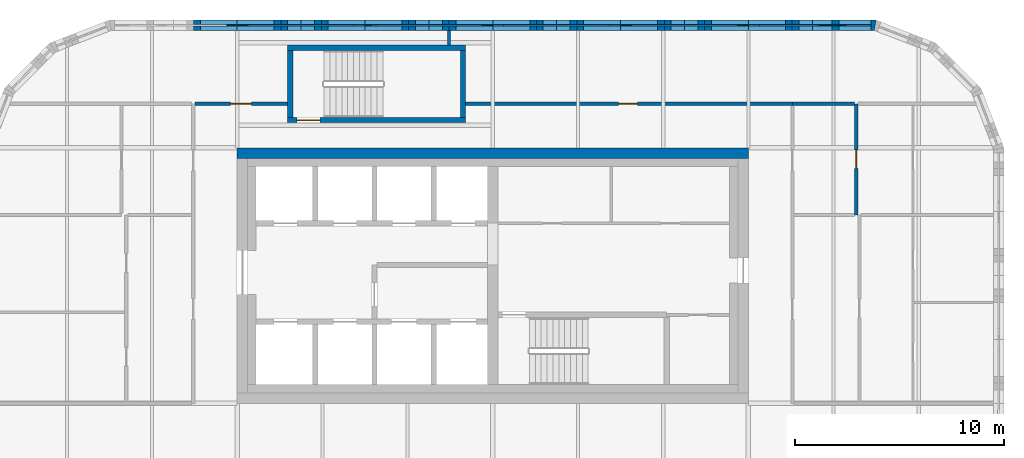
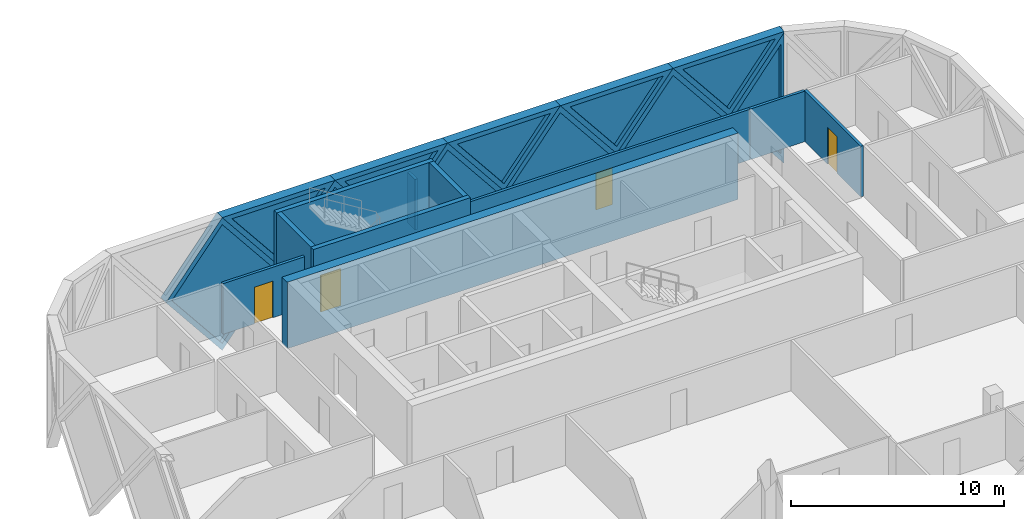
# One storey, part 16 of 21: 21 walls, 11 plates, 4 doors, 15 openings.
"""IFC4 building model written with IfcOpenShell, lengths in metres."""

import ifcopenshell
import ifcopenshell.guid

model = None  # the IFC model being written
_history = None  # IfcOwnerHistory: only IFC2X3 demands one
_inside = {}  # id of a spatial element -> (the spatial element, [elements in it])
_under = {}  # id of a project, library or spatial element -> (it, [spatial elements below it])
_declared = {}  # id of a project -> (the project, [libraries it declares])
_typed = {}  # id of a type object -> (the type object, [elements of that type])
_made_of = {}  # id of a material, layer set ... -> (it, [elements and type objects made of it])


def new_model(schema):
    """Start an empty IFC model of exactly this schema.

    Asked for "IFC4X3", IfcOpenShell would pick the latest addendum, in which some entities
    have other attributes; the version numbers below select the first issue.
    IFC2X3 requires an IfcOwnerHistory on every rooted entity: one is made here for all.
    """
    global model, _history
    if schema == "IFC4X3":
        model = ifcopenshell.file(schema_version=(4, 3, 0, 0))
    else:
        model = ifcopenshell.file(schema=schema)
    _inside.clear()
    _under.clear()
    _declared.clear()
    _typed.clear()
    _made_of.clear()
    _history = None
    if model.schema == "IFC2X3":
        org = make("IfcOrganization", Name="unknown")
        user = make(
            "IfcPersonAndOrganization",
            ThePerson=make("IfcPerson", FamilyName="unknown"),
            TheOrganization=org,
        )
        app = make(
            "IfcApplication",
            ApplicationDeveloper=org,
            Version="unknown",
            ApplicationFullName="unknown",
            ApplicationIdentifier="unknown",
        )
        _history = make(
            "IfcOwnerHistory",
            OwningUser=user,
            OwningApplication=app,
            ChangeAction="ADDED",
            CreationDate=0,
        )
    return model


def make(cls, **values):
    """One entity of the class cls with the attributes given. An attribute that is None is left unset."""
    return model.create_entity(
        cls, **{name: value for name, value in values.items() if value is not None}
    )


def rooted(cls, **values):
    """An entity with a GlobalId (a new one), such as an element, a storey or a relation."""
    return make(cls, GlobalId=ifcopenshell.guid.new(), OwnerHistory=_history, **values)


def si_unit(unit_type, name, prefix=None):
    """IfcSIUnit, for example si_unit("LENGTHUNIT", "METRE", prefix="MILLI")."""
    return make("IfcSIUnit", UnitType=unit_type, Prefix=prefix, Name=name)


def assignment(units):
    """IfcUnitAssignment: the units of a project."""
    return None if units is None else make("IfcUnitAssignment", Units=units)


def point(xyz):
    """IfcCartesianPoint."""
    return None if xyz is None else make("IfcCartesianPoint", Coordinates=xyz)


def direction(xyz):
    """IfcDirection."""
    return None if xyz is None else make("IfcDirection", DirectionRatios=xyz)


def frame(location, z_axis=None, x_axis=None):
    """IfcAxis2Placement3D, a coordinate frame: its origin and axes. An axis left out is left unset."""
    return make(
        "IfcAxis2Placement3D",
        Location=point(location),
        Axis=direction(z_axis),
        RefDirection=direction(x_axis),
    )


def frame_2d(location, x_axis=None):
    """IfcAxis2Placement2D, a coordinate frame in the plane: its origin and x axis."""
    return make(
        "IfcAxis2Placement2D", Location=point(location), RefDirection=direction(x_axis)
    )


def origin():
    """The frame at (0, 0, 0) with its axes left unset."""
    return frame((0.0, 0.0, 0.0))


def place(relative_to, where):
    """IfcLocalPlacement: puts the frame where relative to a parent placement (None: the world)."""
    return make(
        "IfcLocalPlacement", PlacementRelTo=relative_to, RelativePlacement=where
    )


def context(
    kind, dimensions, precision=None, world=None, true_north=None, identifier=None
):
    """IfcGeometricRepresentationContext, for example the 3D "Model" context."""
    return make(
        "IfcGeometricRepresentationContext",
        ContextIdentifier=identifier,
        ContextType=kind,
        CoordinateSpaceDimension=dimensions,
        Precision=precision,
        WorldCoordinateSystem=world,
        TrueNorth=true_north,
    )


def subcontext(parent, identifier, kind, view, scale=None):
    """IfcGeometricRepresentationSubContext, for example "Body" below "Model"."""
    return make(
        "IfcGeometricRepresentationSubContext",
        ContextIdentifier=identifier,
        ContextType=kind,
        ParentContext=parent,
        TargetScale=scale,
        TargetView=view,
    )


def project(units=None, contexts=None):
    """IfcProject with its units and contexts."""
    return rooted(
        "IfcProject",
        Name="project",
        RepresentationContexts=contexts,
        UnitsInContext=assignment(units),
    )


def spatial(cls, under=None, at=None, **own):
    """A site, building, storey or space (cls), placed at a placement, below another one or the project."""
    s = rooted(cls, ObjectPlacement=at, **own)
    if under is not None:
        _under.setdefault(under.id(), (under, []))[1].append(s)
    return s


def polyline(points):
    """IfcPolyline through the points."""
    return make("IfcPolyline", Points=[point(p) for p in points])


def profile(cls, at=None, kind="AREA", **sizes):
    """A parametric profile (cls). Its sizes go by their IFC names, for example OverallWidth=200.0."""
    return make(cls, ProfileType=kind, Position=at, **sizes)


def rectangle(**sizes):
    """IfcRectangleProfileDef."""
    return profile("IfcRectangleProfileDef", **sizes)


def outline(outer, holes=None, kind="AREA"):
    """IfcArbitraryClosedProfileDef: a profile drawn as a closed curve; with holes, ...WithVoids."""
    if holes is None:
        return make("IfcArbitraryClosedProfileDef", ProfileType=kind, OuterCurve=outer)
    return make(
        "IfcArbitraryProfileDefWithVoids",
        ProfileType=kind,
        OuterCurve=outer,
        InnerCurves=holes,
    )


def extrude(swept, where, along, depth):
    """IfcExtrudedAreaSolid: the profile swept, set in the frame where, extruded along a direction by depth."""
    return make(
        "IfcExtrudedAreaSolid",
        SweptArea=swept,
        Position=where,
        ExtrudedDirection=direction(along),
        Depth=depth,
    )


def faces_of(points, faces, orient=None, outer=None):
    """IfcFace entities. A face is a list of loops; a loop is a list of indices into points, from 0.

    orient and outer hold one flag for each loop. By default every Orientation is true, the
    first loop of a face is its IfcFaceOuterBound and the others are IfcFaceBound.
    """
    made = []
    for i, loops in enumerate(faces):
        bounds = []
        for j, loop in enumerate(loops):
            is_outer = j == 0 if outer is None else outer[i][j]
            bounds.append(
                make(
                    "IfcFaceOuterBound" if is_outer else "IfcFaceBound",
                    Bound=make("IfcPolyLoop", Polygon=[points[k] for k in loop]),
                    Orientation=True if orient is None else orient[i][j],
                )
            )
        made.append(make("IfcFace", Bounds=bounds))
    return made


def faceted_brep(points, faces, orient=None, outer=None, voids=None):
    """IfcFacetedBrep: a solid bounded by flat faces; with voids (closed shells), ...WithVoids."""
    shared = [point(p) for p in points]
    hull = make("IfcClosedShell", CfsFaces=faces_of(shared, faces, orient, outer))
    if voids is None:
        return make("IfcFacetedBrep", Outer=hull)
    return make(
        "IfcFacetedBrepWithVoids",
        Outer=hull,
        Voids=[
            make(cls, CfsFaces=faces_of(shared, fs, o, b)) for cls, fs, o, b in voids
        ],
    )


def shape(context_of_items, identifier, shape_type, items):
    """IfcShapeRepresentation: the items that make up one representation, for example the "Body"."""
    return make(
        "IfcShapeRepresentation",
        ContextOfItems=context_of_items,
        RepresentationIdentifier=identifier,
        RepresentationType=shape_type,
        Items=items,
    )


def source(mapping_origin, context_of_items, identifier, shape_type, items):
    """IfcRepresentationMap: a shape defined once, which mapped items show again and again."""
    return make(
        "IfcRepresentationMap",
        MappingOrigin=mapping_origin,
        MappedRepresentation=shape(context_of_items, identifier, shape_type, items),
    )


def transform(
    local_origin,
    x_axis=None,
    y_axis=None,
    z_axis=None,
    scale=None,
    scale2=None,
    scale3=None,
    uniform=True,
):
    """IfcCartesianTransformationOperator3D, or its non-uniform kind. x_axis, y_axis, z_axis: its Axis1, 2, 3."""
    if uniform:
        return make(
            "IfcCartesianTransformationOperator3D",
            Axis1=direction(x_axis),
            Axis2=direction(y_axis),
            LocalOrigin=point(local_origin),
            Scale=scale,
            Axis3=direction(z_axis),
        )
    return make(
        "IfcCartesianTransformationOperator3DnonUniform",
        Axis1=direction(x_axis),
        Axis2=direction(y_axis),
        LocalOrigin=point(local_origin),
        Scale=scale,
        Axis3=direction(z_axis),
        Scale2=scale2,
        Scale3=scale3,
    )


def mapped(mapping_source, mapping_target):
    """IfcMappedItem: shows the shape of a source again, moved by a transform."""
    return make(
        "IfcMappedItem", MappingSource=mapping_source, MappingTarget=mapping_target
    )


def material(Name=None, Category=None):
    """IfcMaterial."""
    return make("IfcMaterial", Name=Name, Category=Category)


def layer(
    of_material, thickness, ventilated=None, Name=None, Category=None, Priority=None
):
    """IfcMaterialLayer: one layer of a wall or slab, of a material (None: an air gap)."""
    return make(
        "IfcMaterialLayer",
        Material=of_material,
        LayerThickness=thickness,
        IsVentilated=ventilated,
        Name=Name,
        Category=Category,
        Priority=Priority,
    )


def layer_set(layers, Name=None):
    """IfcMaterialLayerSet."""
    return make("IfcMaterialLayerSet", MaterialLayers=layers, LayerSetName=Name)


def made_of(thing, what):
    """Note that an element or type object is made of a material, layer set ...; save() writes the relation."""
    if what is not None:
        _made_of.setdefault(what.id(), (what, []))[1].append(thing)
    return thing


def type_object(cls, material=None, **own):
    """A type object (cls), such as IfcWallType, which elements share."""
    return made_of(rooted(cls, **own), material)


def element(
    cls,
    number,
    at=None,
    inside=None,
    cuts=None,
    type_object=None,
    material=None,
    context=None,
    identifier="Body",
    shape_type=None,
    held_by="IfcProductDefinitionShape",
    body=None,
    shapes=None,
    **own,
):
    """One element of the class cls, such as IfcWall. Its Tag is "e" and its number.

    at: its placement. inside: the storey or other place that contains it. cuts: it is an
    opening in that element (IfcRelVoidsElement). A single representation is given by context,
    identifier, shape_type and body (its items); several are given by shapes. held_by: the class
    of the entity that holds the representations. save() writes the other relations.
    """
    e = rooted(cls, Tag="e%d" % number, ObjectPlacement=at, **own)
    if body is not None:
        shapes = [shape(context, identifier, shape_type, body)]
    if shapes is not None:
        e.Representation = make(held_by, Representations=shapes)
    if inside is not None:
        _inside.setdefault(inside.id(), (inside, []))[1].append(e)
    if cuts is not None:
        rooted(
            "IfcRelVoidsElement", RelatingBuildingElement=cuts, RelatedOpeningElement=e
        )
    if type_object is not None:
        _typed.setdefault(type_object.id(), (type_object, []))[1].append(e)
    return made_of(e, material)


def fill(opening, filler):
    """IfcRelFillsElement: the door or window that sits in an opening."""
    return rooted(
        "IfcRelFillsElement",
        RelatingOpeningElement=opening,
        RelatedBuildingElement=filler,
    )


def aggregate(whole, parts):
    """IfcRelAggregates: a whole, such as a stair, and the parts it consists of."""
    return rooted("IfcRelAggregates", RelatingObject=whole, RelatedObjects=parts)


def save(model, path):
    """Write the relations noted so far, then the file.

    IfcRelAggregates (storeys below a building ...), IfcRelContainedInSpatialStructure (elements
    in a storey), IfcRelDefinesByType, IfcRelAssociatesMaterial and IfcRelDeclares: one each for
    every whole, place, type object, material and project.
    """
    for whole, parts in _under.values():
        aggregate(whole, parts)
    for where, things in _inside.values():
        rooted(
            "IfcRelContainedInSpatialStructure",
            RelatedElements=things,
            RelatingStructure=where,
        )
    for kind, things in _typed.values():
        rooted("IfcRelDefinesByType", RelatedObjects=things, RelatingType=kind)
    for what, things in _made_of.values():
        rooted("IfcRelAssociatesMaterial", RelatedObjects=things, RelatingMaterial=what)
    for by, libraries in _declared.values():
        rooted("IfcRelDeclares", RelatingContext=by, RelatedDefinitions=libraries)
    model.write(path)


model = new_model("IFC4")

# Units and contexts
model_context = context("Model", 3, precision=1e-05, world=origin(), true_north=direction((0.0, 1.0)))
body_context = subcontext(model_context, "Body", "Model", "MODEL_VIEW")
ifc_project = project(units=[si_unit("LENGTHUNIT", "METRE"), si_unit("AREAUNIT", "SQUARE_METRE"), si_unit("VOLUMEUNIT", "CUBIC_METRE"), si_unit("PLANEANGLEUNIT", "RADIAN"), si_unit("MASSUNIT", "GRAM", prefix="KILO")], contexts=[model_context])

# Site, building, storey
site_placement = place(None, origin())
site = spatial("IfcSite", under=ifc_project, at=site_placement, CompositionType="ELEMENT")
building_placement = place(site_placement, origin())
building = spatial("IfcBuilding", under=site, at=building_placement, Name="Tessera Gate Towers", CompositionType="ELEMENT")
storey_placement = place(building_placement, frame((0.0, 0.0, 91.39990234375)))
storey = spatial("IfcBuildingStorey", under=building, at=storey_placement, Name="L22", CompositionType="ELEMENT", Elevation=91.39990234375)

# Wall, opening, door
ifc_material_1 = material(Name="Concrete C40/50", Category="concrete")
ifc_layer_1 = layer(ifc_material_1, 0.25)
ifc_layer_set_1 = layer_set([ifc_layer_1], Name="CORE ENCLOSURE WALL 250")
wall_type_1 = type_object("IfcWallType", Name="CORE ENCLOSURE WALL 250", PredefinedType="SOLIDWALL", material=ifc_layer_set_1)
wall_1_placement = place(storey_placement, frame((108.5, 50.125, 0.0), z_axis=(0.0, 0.0, 1.0), x_axis=(-1.0, 0.0, 0.0)))
wall_1 = element("IfcWall", 1, at=wall_1_placement, inside=storey, type_object=wall_type_1, Name="L22 ST7 enclosure wall", PredefinedType="SOLIDWALL", context=body_context, shape_type="SweptSolid", body=[
    extrude(rectangle(XDim=8.5, YDim=0.25, at=frame_2d((4.25, 0.0))), origin(), (0.0, 0.0, 1.0), 3.800048828125),
])
shared_shape_1 = source(origin(), body_context, "Body", "SweptSolid", [
    extrude(rectangle(XDim=1.10009765625, YDim=2.10009765625, at=frame_2d((0.550048828125, 1.050048828125))), frame((0.0, 0.135009765625, 0.0), z_axis=(0.0, -1.0, 0.0), x_axis=(1.0, 0.0, 0.0)), (0.0, 0.0, 1.0), 0.27001953125),
])
opening_1_placement = place(wall_1_placement, frame((6.949951171875, 0.0, 0.0)))
opening_1 = element("IfcOpeningElement", 2, at=opening_1_placement, cuts=wall_1, Name="Opening SD-ST7-1", PredefinedType="OPENING", context=body_context, shape_type="MappedRepresentation", body=[
    mapped(shared_shape_1, transform((0.0, 0.0, 0.0), scale=1.0)),
])
ifc_material_2 = material(Name="Hollow steel fire door", Category="steel")
door_type_1 = type_object("IfcDoorType", Name="CORE DOOR SD1100 1100x2100", OperationType="NOTDEFINED", PredefinedType="DOOR", material=ifc_material_2)
shared_shape_2 = source(origin(), body_context, "Body", "SweptSolid", [
    extrude(rectangle(XDim=1.10009765625, YDim=2.10009765625, at=frame_2d((0.550048828125, 1.050048828125))), frame((0.0, 0.02490234375, 0.0), z_axis=(0.0, -1.0, 0.0), x_axis=(1.0, 0.0, 0.0)), (0.0, 0.0, 1.0), 0.050048828125),
])
door_1_placement = place(opening_1_placement, origin())
door_1 = element("IfcDoor", 3, at=door_1_placement, inside=storey, type_object=door_type_1, Name="Stair door", OperationType="SINGLE_SWING_RIGHT", OverallHeight=2.10009765625, OverallWidth=1.10009765625, PredefinedType="DOOR", context=body_context, shape_type="MappedRepresentation", body=[
    mapped(shared_shape_2, transform((0.0, 0.0, 0.0), scale=1.0)),
])
fill(opening_1, door_1)

# Walls
wall_2_placement = place(storey_placement, frame((100.125, 50.25, 0.0), z_axis=(0.0, 0.0, 1.0), x_axis=(0.0, 1.0, 0.0)))
element("IfcWall", 4, at=wall_2_placement, inside=storey, type_object=wall_type_1, Name="L22 ST7 enclosure wall", PredefinedType="SOLIDWALL", context=body_context, shape_type="SweptSolid", body=[
    extrude(rectangle(XDim=3.199951171875, YDim=0.25, at=frame_2d((1.60009765625, 0.0))), origin(), (0.0, 0.0, 1.0), 3.800048828125),
])
wall_3_placement = place(storey_placement, frame((100.0, 53.574951171875, 0.0), z_axis=(0.0, 0.0, 1.0), x_axis=(1.0, 0.0, 0.0)))
element("IfcWall", 5, at=wall_3_placement, inside=storey, type_object=wall_type_1, Name="L22 ST7 enclosure wall", PredefinedType="SOLIDWALL", context=body_context, shape_type="SweptSolid", body=[
    extrude(rectangle(XDim=8.5, YDim=0.25, at=frame_2d((4.25, 0.0))), origin(), (0.0, 0.0, 1.0), 3.800048828125),
])
wall_4_placement = place(storey_placement, frame((108.375, 53.449951171875, 0.0), z_axis=(0.0, 0.0, 1.0), x_axis=(0.0, -1.0, 0.0)))
element("IfcWall", 6, at=wall_4_placement, inside=storey, type_object=wall_type_1, Name="L22 ST7 enclosure wall", PredefinedType="SOLIDWALL", context=body_context, shape_type="SweptSolid", body=[
    extrude(rectangle(XDim=3.199951171875, YDim=0.25, at=frame_2d((1.60009765625, 0.0))), origin(), (0.0, 0.0, 1.0), 3.800048828125),
])
ifc_material_3 = material(Name="Concrete C50/60", Category="concrete")
ifc_layer_2 = layer(ifc_material_3, 0.5)
ifc_layer_set_2 = layer_set([ifc_layer_2], Name="CORE SHEAR WALL 500 C50/60")
wall_type_2 = type_object("IfcWallType", Name="CORE SHEAR WALL 500 C50/60", PredefinedType="SHEAR", material=ifc_layer_set_2)
wall_5_placement = place(storey_placement, frame((97.60009765625, 48.550048828125, 0.0), z_axis=(0.0, 0.0, 1.0), x_axis=(1.0, 0.0, 0.0)))
element("IfcWall", 7, at=wall_5_placement, inside=storey, type_object=wall_type_2, Name="Core wall N L22", PredefinedType="SHEAR", context=body_context, shape_type="SweptSolid", body=[
    extrude(rectangle(XDim=24.39990234375, YDim=0.5, at=frame_2d((12.199951171875, 0.0))), origin(), (0.0, 0.0, 1.0), 3.800048828125),
])

# Wall, opening, door
ifc_material_4 = material(Name="Gypsum board on steel studs, mineral wool", Category="steel")
ifc_layer_3 = layer(ifc_material_4, 0.14990234375)
ifc_layer_set_3 = layer_set([ifc_layer_3], Name="CORRIDOR WALL 150")
wall_type_3 = type_object("IfcWallType", Name="CORRIDOR WALL 150", PredefinedType="PARTITIONING", material=ifc_layer_set_3)
wall_6_placement = place(storey_placement, frame((95.575927734375, 50.89990234375, 0.0), z_axis=(0.0, 0.0, 1.0), x_axis=(1.0, 0.0, 0.0)))
wall_6 = element("IfcWall", 8, at=wall_6_placement, inside=storey, type_object=wall_type_3, Name="T2-L22-PW-039", PredefinedType="PARTITIONING", context=body_context, shape_type="SweptSolid", body=[
    extrude(rectangle(XDim=4.424072265625, YDim=0.14990234375, at=frame_2d((2.2119140625, 0.0))), origin(), (0.0, 0.0, 1.0), 2.89501953125),
])
shared_shape_3 = source(origin(), body_context, "Body", "SweptSolid", [
    extrude(rectangle(XDim=1.0, YDim=2.10009765625, at=frame_2d((0.5, 1.050048828125))), frame((0.0, 0.0849609375, 0.0), z_axis=(0.0, -1.0, 0.0), x_axis=(1.0, 0.0, 0.0)), (0.0, 0.0, 1.0), 0.169921875),
])
opening_2_placement = place(wall_6_placement, frame((1.699951171875, 0.0, 0.0)))
opening_2 = element("IfcOpeningElement", 9, at=opening_2_placement, cuts=wall_6, Name="Opening D2100FD60-B09-01", PredefinedType="OPENING", context=body_context, shape_type="MappedRepresentation", body=[
    mapped(shared_shape_3, transform((0.0, 0.0, 0.0), scale=1.0)),
])
ifc_material_5 = material(Name="Timber door leaf in steel frame", Category="steel")
door_type_2 = type_object("IfcDoorType", Name="TENANCY ENTRANCE DOOR 1000 FD60", OperationType="NOTDEFINED", PredefinedType="DOOR", material=ifc_material_5)
shared_shape_4 = source(origin(), body_context, "Body", "SweptSolid", [
    extrude(rectangle(XDim=1.0, YDim=2.10009765625, at=frame_2d((0.5, 1.050048828125))), frame((0.0, 0.02490234375, 0.0), z_axis=(0.0, -1.0, 0.0), x_axis=(1.0, 0.0, 0.0)), (0.0, 0.0, 1.0), 0.050048828125),
])
door_2_placement = place(opening_2_placement, origin())
door_2 = element("IfcDoor", 10, at=door_2_placement, inside=storey, type_object=door_type_2, Name="T2-L22-PD-003", OperationType="SINGLE_SWING_LEFT", OverallHeight=2.10009765625, OverallWidth=1.0, PredefinedType="DOOR", context=body_context, shape_type="MappedRepresentation", body=[
    mapped(shared_shape_4, transform((0.0, 0.0, 0.0), scale=1.0)),
])
fill(opening_2, door_2)

wall_7_placement = place(storey_placement, frame((108.5, 50.89990234375, 0.0), z_axis=(0.0, 0.0, 1.0), x_axis=(1.0, 0.0, 0.0)))
wall_7 = element("IfcWall", 11, at=wall_7_placement, inside=storey, type_object=wall_type_3, Name="T2-L22-PW-040", PredefinedType="PARTITIONING", context=body_context, shape_type="SweptSolid", body=[
    extrude(rectangle(XDim=15.60009765625, YDim=0.14990234375, at=frame_2d((7.800048828125, 0.0))), origin(), (0.0, 0.0, 1.0), 2.89501953125),
])
shared_shape_5 = source(origin(), body_context, "Body", "SweptSolid", [
    extrude(rectangle(XDim=0.89990234375, YDim=2.10009765625, at=frame_2d((0.449951171875, 1.050048828125))), frame((0.0, 0.0849609375, 0.0), z_axis=(0.0, -1.0, 0.0), x_axis=(1.0, 0.0, 0.0)), (0.0, 0.0, 1.0), 0.169921875),
])
opening_3_placement = place(wall_7_placement, frame((7.300048828125, 0.0, 0.0)))
opening_3 = element("IfcOpeningElement", 12, at=opening_3_placement, cuts=wall_7, Name="Opening D890FD60-B09-06", PredefinedType="OPENING", context=body_context, shape_type="MappedRepresentation", body=[
    mapped(shared_shape_5, transform((0.0, 0.0, 0.0), scale=1.0)),
])
ifc_material_6 = material(Name="Timber door leaf in steel frame", Category="steel")
door_type_3 = type_object("IfcDoorType", Name="CORRIDOR DOOR 900 FD60", OperationType="NOTDEFINED", PredefinedType="DOOR", material=ifc_material_6)
shared_shape_6 = source(origin(), body_context, "Body", "SweptSolid", [
    extrude(rectangle(XDim=0.89990234375, YDim=2.10009765625, at=frame_2d((0.449951171875, 1.050048828125))), frame((0.0, 0.02490234375, 0.0), z_axis=(0.0, -1.0, 0.0), x_axis=(1.0, 0.0, 0.0)), (0.0, 0.0, 1.0), 0.050048828125),
])
door_3_placement = place(opening_3_placement, origin())
door_3 = element("IfcDoor", 13, at=door_3_placement, inside=storey, type_object=door_type_3, Name="T2-L22-PD-027", OperationType="SINGLE_SWING_LEFT", OverallHeight=2.10009765625, OverallWidth=0.89990234375, PredefinedType="DOOR", context=body_context, shape_type="MappedRepresentation", body=[
    mapped(shared_shape_6, transform((0.0, 0.0, 0.0), scale=1.0)),
])
fill(opening_3, door_3)

ifc_material_7 = material(Name="Gypsum board on steel studs, mineral wool", Category="steel")
ifc_layer_4 = layer(ifc_material_7, 0.14990234375)
ifc_layer_set_4 = layer_set([ifc_layer_4], Name="TENANCY WALL 150")
wall_type_4 = type_object("IfcWallType", Name="TENANCY WALL 150", PredefinedType="PARTITIONING", material=ifc_layer_set_4)
wall_8_placement = place(storey_placement, frame((127.14990234375, 50.89990234375, 0.0), z_axis=(0.0, 0.0, 1.0), x_axis=(0.0, -1.0, 0.0)))
wall_8 = element("IfcWall", 14, at=wall_8_placement, inside=storey, type_object=wall_type_4, Name="T2-L22-PW-034", PredefinedType="PARTITIONING", context=body_context, shape_type="SweptSolid", body=[
    extrude(rectangle(XDim=5.2998046875, YDim=0.14990234375, at=frame_2d((2.64990234375, 0.0))), origin(), (0.0, 0.0, 1.0), 2.89501953125),
])
opening_4_placement = place(wall_8_placement, frame((2.199951171875, 0.0, 0.0)))
opening_4 = element("IfcOpeningElement", 15, at=opening_4_placement, cuts=wall_8, Name="Opening D190-B09-08", PredefinedType="OPENING", context=body_context, shape_type="MappedRepresentation", body=[
    mapped(shared_shape_5, transform((0.0, 0.0, 0.0), scale=1.0)),
])
ifc_material_8 = material(Name="Timber door leaf in steel frame", Category="steel")
door_type_4 = type_object("IfcDoorType", Name="INTERNAL DOOR 900 NOT RATED", OperationType="NOTDEFINED", PredefinedType="DOOR", material=ifc_material_8)
door_4_placement = place(opening_4_placement, origin())
door_4 = element("IfcDoor", 16, at=door_4_placement, inside=storey, type_object=door_type_4, Name="T2-L22-PD-013", OperationType="SINGLE_SWING_RIGHT", OverallHeight=2.10009765625, OverallWidth=0.89990234375, PredefinedType="DOOR", context=body_context, shape_type="MappedRepresentation", body=[
    mapped(shared_shape_6, transform((0.0, 0.0, 0.0), scale=1.0)),
])
fill(opening_4, door_4)

# Walls
wall_9_placement = place(storey_placement, frame((124.10107421875, 50.89990234375, 0.0), z_axis=(0.0, 0.0, 1.0), x_axis=(1.0, 0.0, 0.0)))
element("IfcWall", 17, at=wall_9_placement, inside=storey, type_object=wall_type_4, Name="T2-L22-PW-041", PredefinedType="PARTITIONING", context=body_context, shape_type="SweptSolid", body=[
    extrude(rectangle(XDim=2.972900390625, YDim=0.14990234375, at=frame_2d((1.486328125, 0.0))), origin(), (0.0, 0.0, 1.0), 2.89501953125),
])
wall_10_placement = place(storey_placement, frame((107.699951171875, 53.699951171875, 0.0), z_axis=(0.0, 0.0, 1.0), x_axis=(0.0, 1.0, 0.0)))
element("IfcWall", 18, at=wall_10_placement, inside=storey, type_object=wall_type_4, Name="T2-L22-PW-043", PredefinedType="PARTITIONING", context=body_context, shape_type="SweptSolid", body=[
    extrude(rectangle(XDim=0.699951171875, YDim=0.14990234375, at=frame_2d((0.35009765625, 0.0))), origin(), (0.0, 0.0, 1.0), 2.89501953125),
])

# Wall, opening, plate
ifc_material_9 = material(Name="Precast concrete C60/75 white", Category="concrete")
ifc_layer_5 = layer(ifc_material_9, 0.5)
ifc_layer_set_5 = layer_set([ifc_layer_5], Name="TS3 corner tessera")
wall_type_5 = type_object("IfcWallType", Name="TS3 corner tessera", PredefinedType="SOLIDWALL", material=ifc_layer_set_5)
shared_shape_7 = source(origin(), body_context, "Body", "Brep", [
    faceted_brep([(0.046630859375, -0.25, 0.0), (3.050048828125, -0.25, 3.7998046875), (0.046630859375, -0.25, 7.599853515625), (0.0, -0.25, 7.539794921875), (0.0, -0.25, 0.06005859375), (0.09326171875, 0.25, 7.541015625), (3.050048828125, 0.25, 3.7998046875), (0.09326171875, 0.25, 0.058837890625), (0.046630859375, 0.0, 0.0), (0.046630859375, 0.0, 7.599853515625)], [[[0, 1, 2, 3, 4]], [[5, 6, 7]], [[7, 6, 1, 0, 8]], [[6, 5, 9, 2, 1]], [[3, 2, 9]], [[8, 0, 4]], [[7, 8, 4, 3, 9, 5]]]),
])
wall_11_placement = place(storey_placement, frame((128.10009765625, 54.64990234375, -3.7998046875), z_axis=(0.0, 0.0, 1.0), x_axis=(-1.0, 0.0, 0.0)))
wall_11 = element("IfcWall", 19, at=wall_11_placement, inside=storey, type_object=wall_type_5, Name="Precast corner tessera T2 TS3-0330", PredefinedType="SOLIDWALL", context=body_context, shape_type="MappedRepresentation", body=[
    mapped(shared_shape_7, transform((0.0, 0.0, 0.0), scale=1.0)),
])
shared_shape_8 = source(origin(), body_context, "Body", "SweptSolid", [
    extrude(outline(polyline([(0.24658203125, 0.656005859375), (2.7314453125, 3.7998046875), (0.24658203125, 6.943603515625), (0.24658203125, 0.656005859375)])), frame((0.0, 0.260009765625, 0.0), z_axis=(0.0, -1.0, 0.0), x_axis=(1.0, 0.0, 0.0)), (0.0, 0.0, 1.0), 0.52001953125),
])
opening_5_placement = place(wall_11_placement, origin())
opening_5 = element("IfcOpeningElement", 20, at=opening_5_placement, cuts=wall_11, Name="Opening T2-PL2-0528", PredefinedType="OPENING", context=body_context, shape_type="MappedRepresentation", body=[
    mapped(shared_shape_8, transform((0.0, 0.0, 0.0), scale=1.0)),
])
ifc_material_10 = material(Name="Low-e laminated glass", Category="glass")
ifc_layer_6 = layer(ifc_material_10, 0.06005859375)
ifc_layer_set_6 = layer_set([ifc_layer_6], Name="PL2 rhombic pane")
plate_type_1 = type_object("IfcPlateType", Name="PL2 rhombic pane", PredefinedType="SHEET", material=ifc_layer_set_6)
shared_shape_9 = source(origin(), body_context, "Body", "SweptSolid", [
    extrude(outline(polyline([(0.24658203125, 0.656005859375), (2.7314453125, 3.7998046875), (0.24658203125, 6.943603515625), (0.24658203125, 0.656005859375)])), frame((0.0, 0.030029296875, 0.0), z_axis=(0.0, -1.0, 0.0), x_axis=(1.0, 0.0, 0.0)), (0.0, 0.0, 1.0), 0.06005859375),
])
plate_1_placement = place(opening_5_placement, origin())
plate_1 = element("IfcPlate", 21, at=plate_1_placement, inside=storey, type_object=plate_type_1, Name="Glass pane T2 PL2-0528", PredefinedType="SHEET", context=body_context, shape_type="MappedRepresentation", body=[
    mapped(shared_shape_9, transform((0.0, 0.0, 0.0), scale=1.0)),
])
fill(opening_5, plate_1)

ifc_material_11 = material(Name="Precast concrete C60/75 white", Category="concrete")
ifc_layer_7 = layer(ifc_material_11, 0.5)
ifc_layer_set_7 = layer_set([ifc_layer_7], Name="TS1 tessera")
wall_type_6 = type_object("IfcWallType", Name="TS1 tessera", PredefinedType="SOLIDWALL", material=ifc_layer_set_7)
shared_shape_10 = source(origin(), body_context, "Body", "Brep", [
    faceted_brep([(3.050048828125, -0.25, 0.0), (6.099853515625, -0.25, 3.799560546875), (6.099853515625, -0.25, 3.800048828125), (3.050048828125, -0.25, 7.599853515625), (0.0, -0.25, 3.7998046875), (0.0, 0.25, 3.7998046875), (3.050048828125, 0.25, 7.599853515625), (6.099853515625, 0.25, 3.800048828125), (6.099853515625, 0.25, 3.799560546875), (3.050048828125, 0.25, 0.0)], [[[0, 1, 2, 3, 4]], [[5, 6, 7, 8, 9]], [[9, 8, 1, 0]], [[7, 6, 3, 2]], [[6, 5, 4, 3]], [[5, 9, 0, 4]], [[1, 8, 7, 2]]]),
])
wall_12_placement = place(storey_placement, frame((118.949951171875, 54.64990234375, -3.7998046875), z_axis=(0.0, 0.0, 1.0), x_axis=(-1.0, 0.0, 0.0)))
wall_12 = element("IfcWall", 22, at=wall_12_placement, inside=storey, type_object=wall_type_6, Name="Precast tessera T2 TS1-0280", PredefinedType="SOLIDWALL", context=body_context, shape_type="MappedRepresentation", body=[
    mapped(shared_shape_10, transform((0.0, 0.0, 0.0), scale=1.0)),
])
shared_shape_11 = source(origin(), body_context, "Body", "SweptSolid", [
    extrude(outline(polyline([(3.050048828125, 0.3994140625), (5.779541015625, 3.7998046875), (3.050048828125, 7.200439453125), (0.320556640625, 3.7998046875), (3.050048828125, 0.3994140625)])), frame((0.0, 0.260009765625, 0.0), z_axis=(0.0, -1.0, 0.0), x_axis=(1.0, 0.0, 0.0)), (0.0, 0.0, 1.0), 0.52001953125),
])
opening_6_placement = place(wall_12_placement, origin())
opening_6 = element("IfcOpeningElement", 23, at=opening_6_placement, cuts=wall_12, Name="Opening T2-PL2-0530", PredefinedType="OPENING", context=body_context, shape_type="MappedRepresentation", body=[
    mapped(shared_shape_11, transform((0.0, 0.0, 0.0), scale=1.0)),
])
shared_shape_12 = source(origin(), body_context, "Body", "SweptSolid", [
    extrude(outline(polyline([(3.050048828125, 0.3994140625), (5.779541015625, 3.7998046875), (3.050048828125, 7.200439453125), (0.320556640625, 3.7998046875), (3.050048828125, 0.3994140625)])), frame((0.0, 0.030029296875, 0.0), z_axis=(0.0, -1.0, 0.0), x_axis=(1.0, 0.0, 0.0)), (0.0, 0.0, 1.0), 0.06005859375),
])
plate_2_placement = place(opening_6_placement, origin())
plate_2 = element("IfcPlate", 24, at=plate_2_placement, inside=storey, type_object=plate_type_1, Name="Glass pane T2 PL2-0530", PredefinedType="SHEET", context=body_context, shape_type="MappedRepresentation", body=[
    mapped(shared_shape_12, transform((0.0, 0.0, 0.0), scale=1.0)),
])
fill(opening_6, plate_2)

wall_13_placement = place(storey_placement, frame((100.64990234375, 54.64990234375, -3.7998046875), z_axis=(0.0, 0.0, 1.0), x_axis=(-1.0, 0.0, 0.0)))
wall_13 = element("IfcWall", 25, at=wall_13_placement, inside=storey, type_object=wall_type_6, Name="Precast tessera T2 TS1-0283", PredefinedType="SOLIDWALL", context=body_context, shape_type="MappedRepresentation", body=[
    mapped(shared_shape_10, transform((0.0, 0.0, 0.0), scale=1.0)),
])
opening_7_placement = place(wall_13_placement, origin())
opening_7 = element("IfcOpeningElement", 26, at=opening_7_placement, cuts=wall_13, Name="Opening T2-PL2-0533", PredefinedType="OPENING", context=body_context, shape_type="MappedRepresentation", body=[
    mapped(shared_shape_11, transform((0.0, 0.0, 0.0), scale=1.0)),
])
plate_3_placement = place(opening_7_placement, origin())
plate_3 = element("IfcPlate", 27, at=plate_3_placement, inside=storey, type_object=plate_type_1, Name="Glass pane T2 PL2-0533", PredefinedType="SHEET", context=body_context, shape_type="MappedRepresentation", body=[
    mapped(shared_shape_12, transform((0.0, 0.0, 0.0), scale=1.0)),
])
fill(opening_7, plate_3)

shared_shape_13 = source(origin(), body_context, "Body", "SweptSolid", [
    extrude(outline(polyline([(3.050048828125, 0.0), (6.10009765625, 3.7998046875), (3.050048828125, 7.599853515625), (0.0, 3.7998046875), (3.050048828125, 0.0)])), frame((0.0, 0.25, 0.0), z_axis=(0.0, -1.0, 0.0), x_axis=(1.0, 0.0, 0.0)), (0.0, 0.0, 1.0), 0.5),
])
wall_14_placement = place(storey_placement, frame((125.050048828125, 54.64990234375, -3.7998046875), z_axis=(0.0, 0.0, 1.0), x_axis=(-1.0, 0.0, 0.0)))
wall_14 = element("IfcWall", 28, at=wall_14_placement, inside=storey, type_object=wall_type_6, Name="Precast tessera T2 TS1-0279", PredefinedType="SOLIDWALL", context=body_context, shape_type="MappedRepresentation", body=[
    mapped(shared_shape_13, transform((0.0, 0.0, 0.0), scale=1.0)),
])
opening_8_placement = place(wall_14_placement, origin())
opening_8 = element("IfcOpeningElement", 29, at=opening_8_placement, cuts=wall_14, Name="Opening T2-PL2-0529", PredefinedType="OPENING", context=body_context, shape_type="MappedRepresentation", body=[
    mapped(shared_shape_11, transform((0.0, 0.0, 0.0), scale=1.0)),
])
plate_4_placement = place(opening_8_placement, origin())
plate_4 = element("IfcPlate", 30, at=plate_4_placement, inside=storey, type_object=plate_type_1, Name="Glass pane T2 PL2-0529", PredefinedType="SHEET", context=body_context, shape_type="MappedRepresentation", body=[
    mapped(shared_shape_12, transform((0.0, 0.0, 0.0), scale=1.0)),
])
fill(opening_8, plate_4)

wall_15_placement = place(storey_placement, frame((112.85009765625, 54.64990234375, -3.7998046875), z_axis=(0.0, 0.0, 1.0), x_axis=(-1.0, 0.0, 0.0)))
wall_15 = element("IfcWall", 31, at=wall_15_placement, inside=storey, type_object=wall_type_6, Name="Precast tessera T2 TS1-0281", PredefinedType="SOLIDWALL", context=body_context, shape_type="MappedRepresentation", body=[
    mapped(shared_shape_13, transform((0.0, 0.0, 0.0), scale=1.0)),
])
opening_9_placement = place(wall_15_placement, origin())
opening_9 = element("IfcOpeningElement", 32, at=opening_9_placement, cuts=wall_15, Name="Opening T2-PL2-0531", PredefinedType="OPENING", context=body_context, shape_type="MappedRepresentation", body=[
    mapped(shared_shape_11, transform((0.0, 0.0, 0.0), scale=1.0)),
])
plate_5_placement = place(opening_9_placement, origin())
plate_5 = element("IfcPlate", 33, at=plate_5_placement, inside=storey, type_object=plate_type_1, Name="Glass pane T2 PL2-0531", PredefinedType="SHEET", context=body_context, shape_type="MappedRepresentation", body=[
    mapped(shared_shape_12, transform((0.0, 0.0, 0.0), scale=1.0)),
])
fill(opening_9, plate_5)

wall_16_placement = place(storey_placement, frame((106.75, 54.64990234375, -3.7998046875), z_axis=(0.0, 0.0, 1.0), x_axis=(-1.0, 0.0, 0.0)))
wall_16 = element("IfcWall", 34, at=wall_16_placement, inside=storey, type_object=wall_type_6, Name="Precast tessera T2 TS1-0282", PredefinedType="SOLIDWALL", context=body_context, shape_type="MappedRepresentation", body=[
    mapped(shared_shape_13, transform((0.0, 0.0, 0.0), scale=1.0)),
])
opening_10_placement = place(wall_16_placement, origin())
opening_10 = element("IfcOpeningElement", 35, at=opening_10_placement, cuts=wall_16, Name="Opening T2-PL2-0532", PredefinedType="OPENING", context=body_context, shape_type="MappedRepresentation", body=[
    mapped(shared_shape_11, transform((0.0, 0.0, 0.0), scale=1.0)),
])
plate_6_placement = place(opening_10_placement, origin())
plate_6 = element("IfcPlate", 36, at=plate_6_placement, inside=storey, type_object=plate_type_1, Name="Glass pane T2 PL2-0532", PredefinedType="SHEET", context=body_context, shape_type="MappedRepresentation", body=[
    mapped(shared_shape_12, transform((0.0, 0.0, 0.0), scale=1.0)),
])
fill(opening_10, plate_6)

ifc_material_12 = material(Name="Precast concrete C60/75 white", Category="concrete")
ifc_layer_8 = layer(ifc_material_12, 0.5)
ifc_layer_set_8 = layer_set([ifc_layer_8], Name="TS2 half tessera")
wall_type_7 = type_object("IfcWallType", Name="TS2 half tessera", PredefinedType="SOLIDWALL", material=ifc_layer_set_8)
shared_shape_14 = source(origin(), body_context, "Body", "Brep", [
    faceted_brep([(3.050048828125, -0.25, 0.0), (6.099853515625, -0.25, 3.7998046875), (6.099853515625, -0.25, 3.800048828125), (0.0, -0.25, 3.800048828125), (0.0, 0.25, 3.800048828125), (6.099853515625, 0.25, 3.800048828125), (6.099853515625, 0.25, 3.7998046875), (3.050048828125, 0.25, 0.0)], [[[0, 1, 2, 3]], [[4, 5, 6, 7]], [[7, 6, 1, 0]], [[5, 4, 3, 2]], [[4, 7, 0, 3]], [[1, 6, 5, 2]]]),
])
wall_17_placement = place(storey_placement, frame((115.89990234375, 54.64990234375, 0.0), z_axis=(0.0, 0.0, 1.0), x_axis=(-1.0, 0.0, 0.0)))
wall_17 = element("IfcWall", 37, at=wall_17_placement, inside=storey, type_object=wall_type_7, Name="Precast half tessera T2 TS2-0101", PredefinedType="SOLIDWALL", context=body_context, shape_type="MappedRepresentation", body=[
    mapped(shared_shape_14, transform((0.0, 0.0, 0.0), scale=1.0)),
])
shared_shape_15 = source(origin(), body_context, "Body", "SweptSolid", [
    extrude(outline(polyline([(3.050048828125, 0.3994140625), (5.578857421875, 3.550048828125), (0.521240234375, 3.550048828125), (3.050048828125, 0.3994140625)])), frame((0.0, 0.260009765625, 0.0), z_axis=(0.0, -1.0, 0.0), x_axis=(1.0, 0.0, 0.0)), (0.0, 0.0, 1.0), 0.52001953125),
])
opening_11_placement = place(wall_17_placement, origin())
opening_11 = element("IfcOpeningElement", 38, at=opening_11_placement, cuts=wall_17, Name="Opening T2-PL1-0189", PredefinedType="OPENING", context=body_context, shape_type="MappedRepresentation", body=[
    mapped(shared_shape_15, transform((0.0, 0.0, 0.0), scale=1.0)),
])
ifc_material_13 = material(Name="Low-e laminated glass", Category="glass")
ifc_layer_9 = layer(ifc_material_13, 0.06005859375)
ifc_layer_set_9 = layer_set([ifc_layer_9], Name="PL1 triangular pane")
plate_type_2 = type_object("IfcPlateType", Name="PL1 triangular pane", PredefinedType="SHEET", material=ifc_layer_set_9)
shared_shape_16 = source(origin(), body_context, "Body", "SweptSolid", [
    extrude(outline(polyline([(3.050048828125, 0.3994140625), (5.578857421875, 3.550048828125), (0.521240234375, 3.550048828125), (3.050048828125, 0.3994140625)])), frame((0.0, 0.030029296875, 0.0), z_axis=(0.0, -1.0, 0.0), x_axis=(1.0, 0.0, 0.0)), (0.0, 0.0, 1.0), 0.06005859375),
])
plate_7_placement = place(opening_11_placement, origin())
plate_7 = element("IfcPlate", 39, at=plate_7_placement, inside=storey, type_object=plate_type_2, Name="Glass pane T2 PL1-0189", PredefinedType="SHEET", context=body_context, shape_type="MappedRepresentation", body=[
    mapped(shared_shape_16, transform((0.0, 0.0, 0.0), scale=1.0)),
])
fill(opening_11, plate_7)

wall_18_placement = place(storey_placement, frame((103.699951171875, 54.64990234375, 0.0), z_axis=(0.0, 0.0, 1.0), x_axis=(-1.0, 0.0, 0.0)))
wall_18 = element("IfcWall", 40, at=wall_18_placement, inside=storey, type_object=wall_type_7, Name="Precast half tessera T2 TS2-0103", PredefinedType="SOLIDWALL", context=body_context, shape_type="MappedRepresentation", body=[
    mapped(shared_shape_14, transform((0.0, 0.0, 0.0), scale=1.0)),
])
opening_12_placement = place(wall_18_placement, origin())
opening_12 = element("IfcOpeningElement", 41, at=opening_12_placement, cuts=wall_18, Name="Opening T2-PL1-0191", PredefinedType="OPENING", context=body_context, shape_type="MappedRepresentation", body=[
    mapped(shared_shape_15, transform((0.0, 0.0, 0.0), scale=1.0)),
])
plate_8_placement = place(opening_12_placement, origin())
plate_8 = element("IfcPlate", 42, at=plate_8_placement, inside=storey, type_object=plate_type_2, Name="Glass pane T2 PL1-0191", PredefinedType="SHEET", context=body_context, shape_type="MappedRepresentation", body=[
    mapped(shared_shape_16, transform((0.0, 0.0, 0.0), scale=1.0)),
])
fill(opening_12, plate_8)

shared_shape_17 = source(origin(), body_context, "Body", "SweptSolid", [
    extrude(outline(polyline([(3.050048828125, 0.0), (6.10009765625, 3.800048828125), (0.0, 3.800048828125), (3.050048828125, 0.0)])), frame((0.0, 0.25, 0.0), z_axis=(0.0, -1.0, 0.0), x_axis=(1.0, 0.0, 0.0)), (0.0, 0.0, 1.0), 0.5),
])
wall_19_placement = place(storey_placement, frame((122.0, 54.64990234375, 0.0), z_axis=(0.0, 0.0, 1.0), x_axis=(-1.0, 0.0, 0.0)))
wall_19 = element("IfcWall", 43, at=wall_19_placement, inside=storey, type_object=wall_type_7, Name="Precast half tessera T2 TS2-0100", PredefinedType="SOLIDWALL", context=body_context, shape_type="MappedRepresentation", body=[
    mapped(shared_shape_17, transform((0.0, 0.0, 0.0), scale=1.0)),
])
opening_13_placement = place(wall_19_placement, origin())
opening_13 = element("IfcOpeningElement", 44, at=opening_13_placement, cuts=wall_19, Name="Opening T2-PL1-0188", PredefinedType="OPENING", context=body_context, shape_type="MappedRepresentation", body=[
    mapped(shared_shape_15, transform((0.0, 0.0, 0.0), scale=1.0)),
])
plate_9_placement = place(opening_13_placement, origin())
plate_9 = element("IfcPlate", 45, at=plate_9_placement, inside=storey, type_object=plate_type_2, Name="Glass pane T2 PL1-0188", PredefinedType="SHEET", context=body_context, shape_type="MappedRepresentation", body=[
    mapped(shared_shape_16, transform((0.0, 0.0, 0.0), scale=1.0)),
])
fill(opening_13, plate_9)

wall_20_placement = place(storey_placement, frame((109.800048828125, 54.64990234375, 0.0), z_axis=(0.0, 0.0, 1.0), x_axis=(-1.0, 0.0, 0.0)))
wall_20 = element("IfcWall", 46, at=wall_20_placement, inside=storey, type_object=wall_type_7, Name="Precast half tessera T2 TS2-0102", PredefinedType="SOLIDWALL", context=body_context, shape_type="MappedRepresentation", body=[
    mapped(shared_shape_17, transform((0.0, 0.0, 0.0), scale=1.0)),
])
opening_14_placement = place(wall_20_placement, origin())
opening_14 = element("IfcOpeningElement", 47, at=opening_14_placement, cuts=wall_20, Name="Opening T2-PL1-0190", PredefinedType="OPENING", context=body_context, shape_type="MappedRepresentation", body=[
    mapped(shared_shape_15, transform((0.0, 0.0, 0.0), scale=1.0)),
])
plate_10_placement = place(opening_14_placement, origin())
plate_10 = element("IfcPlate", 48, at=plate_10_placement, inside=storey, type_object=plate_type_2, Name="Glass pane T2 PL1-0190", PredefinedType="SHEET", context=body_context, shape_type="MappedRepresentation", body=[
    mapped(shared_shape_16, transform((0.0, 0.0, 0.0), scale=1.0)),
])
fill(opening_14, plate_10)

shared_shape_18 = source(origin(), body_context, "Body", "Brep", [
    faceted_brep([(3.00341796875, -0.25, 0.0), (6.053466796875, -0.25, 3.800048828125), (0.0, -0.25, 3.800048828125), (0.046630859375, 0.25, 3.800048828125), (6.053466796875, 0.25, 3.800048828125), (3.00341796875, 0.25, 0.0), (0.046630859375, 0.25, 3.7412109375), (0.0, 0.0, 3.800048828125)], [[[0, 1, 2]], [[3, 4, 5, 6]], [[5, 4, 1, 0]], [[4, 3, 7, 2, 1]], [[6, 5, 0, 2, 7]], [[6, 7, 3]]]),
])
wall_21_placement = place(storey_placement, frame((128.053466796875, 54.64990234375, 0.0), z_axis=(0.0, 0.0, 1.0), x_axis=(-1.0, 0.0, 0.0)))
wall_21 = element("IfcWall", 49, at=wall_21_placement, inside=storey, type_object=wall_type_7, Name="Precast half tessera T2 TS2-0099", PredefinedType="SOLIDWALL", context=body_context, shape_type="MappedRepresentation", body=[
    mapped(shared_shape_18, transform((0.0, 0.0, 0.0), scale=1.0)),
])
shared_shape_19 = source(origin(), body_context, "Body", "SweptSolid", [
    extrude(outline(polyline([(3.0048828125, 0.4013671875), (5.5322265625, 3.550048828125), (0.516357421875, 3.550048828125), (3.0048828125, 0.4013671875)])), frame((0.0, 0.260009765625, 0.0), z_axis=(0.0, -1.0, 0.0), x_axis=(1.0, 0.0, 0.0)), (0.0, 0.0, 1.0), 0.52001953125),
])
opening_15_placement = place(wall_21_placement, origin())
opening_15 = element("IfcOpeningElement", 50, at=opening_15_placement, cuts=wall_21, Name="Opening T2-PL1-0187", PredefinedType="OPENING", context=body_context, shape_type="MappedRepresentation", body=[
    mapped(shared_shape_19, transform((0.0, 0.0, 0.0), scale=1.0)),
])
shared_shape_20 = source(origin(), body_context, "Body", "SweptSolid", [
    extrude(outline(polyline([(3.0048828125, 0.4013671875), (5.5322265625, 3.550048828125), (0.516357421875, 3.550048828125), (3.0048828125, 0.4013671875)])), frame((0.0, 0.030029296875, 0.0), z_axis=(0.0, -1.0, 0.0), x_axis=(1.0, 0.0, 0.0)), (0.0, 0.0, 1.0), 0.06005859375),
])
plate_11_placement = place(opening_15_placement, origin())
plate_11 = element("IfcPlate", 51, at=plate_11_placement, inside=storey, type_object=plate_type_2, Name="Glass pane T2 PL1-0187", PredefinedType="SHEET", context=body_context, shape_type="MappedRepresentation", body=[
    mapped(shared_shape_20, transform((0.0, 0.0, 0.0), scale=1.0)),
])
fill(opening_15, plate_11)

save(model, "model.ifc")
